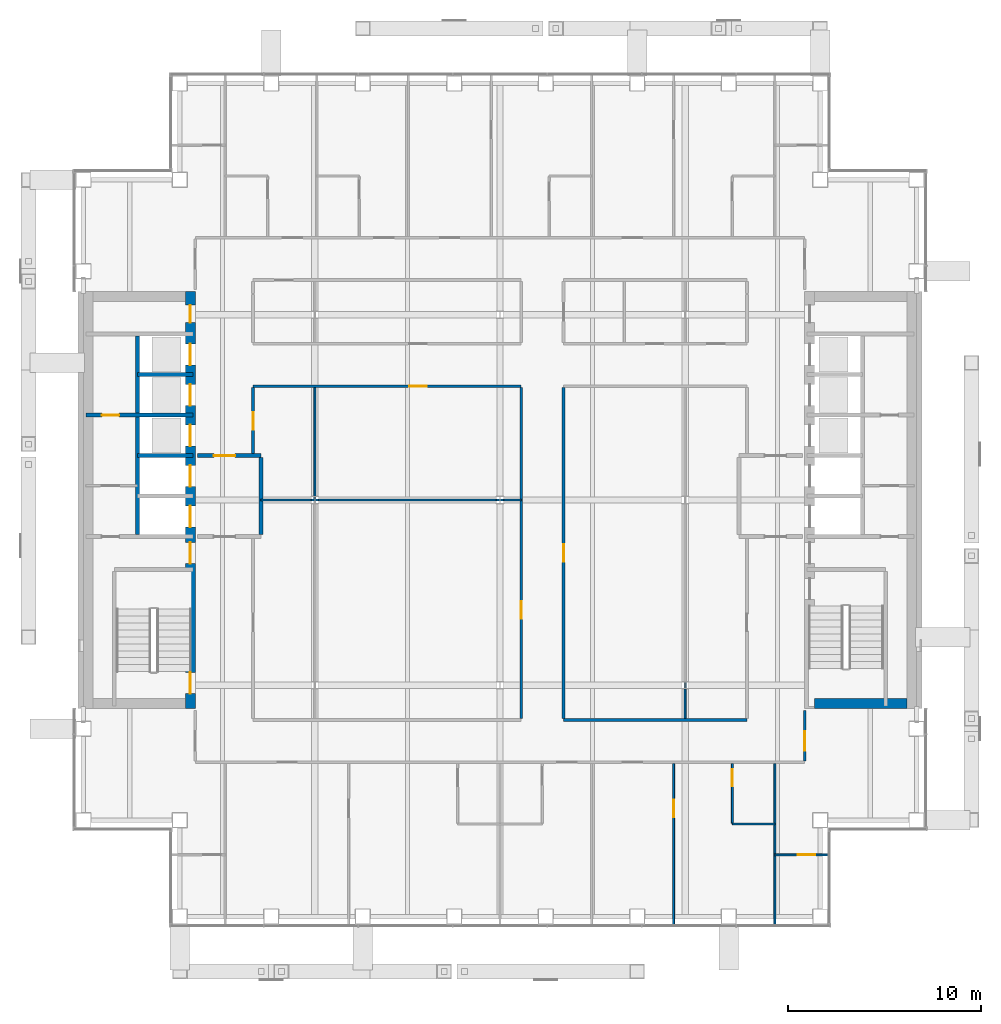
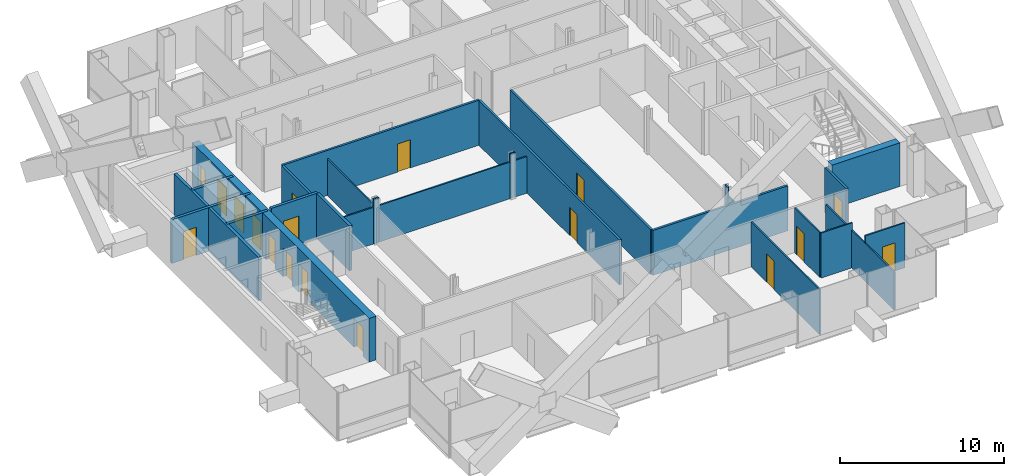
# One storey, part 13 of 18: 28 walls, 18 doors, 18 openings.
"""IFC4 building model written with IfcOpenShell, lengths in metres."""

from ifc_helpers import new_model, si_unit, direction, frame, frame_2d, origin, place, context, subcontext, project, spatial, rectangle, extrude, material, layer, layer_set, type_object, element, fill, save


model = new_model("IFC4")

# Units and contexts
model_context = context("Model", 3, precision=1e-05, world=origin(), true_north=direction((0.0, 1.0)))
body_context = subcontext(model_context, "Body", "Model", "MODEL_VIEW")
ifc_project = project(units=[si_unit("LENGTHUNIT", "METRE"), si_unit("AREAUNIT", "SQUARE_METRE"), si_unit("VOLUMEUNIT", "CUBIC_METRE"), si_unit("PLANEANGLEUNIT", "RADIAN"), si_unit("MASSUNIT", "GRAM", prefix="KILO")], contexts=[model_context])

# Site, building, storey
site_placement = place(None, origin())
site = spatial("IfcSite", under=ifc_project, at=site_placement, CompositionType="ELEMENT")
building_placement = place(site_placement, origin())
building = spatial("IfcBuilding", under=site, at=building_placement, Name="Cobrizo Arcos Hotel Tower", CompositionType="ELEMENT")
storey_placement = place(building_placement, frame((0.0, 0.0, 165.5)))
storey = spatial("IfcBuildingStorey", under=building, at=storey_placement, Name="L42", CompositionType="ELEMENT", Elevation=165.5)

# Wall
ifc_material_1 = material(Name="Gypsum board partition")
ifc_layer_1 = layer(ifc_material_1, 0.14990234375)
ifc_layer_set_1 = layer_set([ifc_layer_1], Name="Corridor wall EI 60 150")
wall_type_1 = type_object("IfcWallType", Name="Corridor wall EI 60 150", PredefinedType="PARTITIONING", material=ifc_layer_set_1)
wall_1_placement = place(storey_placement, frame((3.300048828125, -11.39990234375, 0.0), z_axis=(0.0, 0.0, 1.0), x_axis=(1.0, 0.0, 0.0)))
element("IfcWall", 1, at=wall_1_placement, inside=storey, type_object=wall_type_1, Name="Partition 007", PredefinedType="PARTITIONING", context=body_context, shape_type="SweptSolid", body=[
    extrude(rectangle(XDim=9.5, YDim=0.14990234375, at=frame_2d((4.75, 0.0))), origin(), (0.0, 0.0, 1.0), 3.35009765625),
])

# Wall, opening, door
wall_2_placement = place(storey_placement, frame((-12.800048828125, 5.89990234375, 0.0), z_axis=(0.0, 0.0, 1.0), x_axis=(1.0, 0.0, 0.0)))
wall_2 = element("IfcWall", 2, at=wall_2_placement, inside=storey, type_object=wall_type_1, Name="Partition 029", PredefinedType="PARTITIONING", context=body_context, shape_type="SweptSolid", body=[
    extrude(rectangle(XDim=13.900146484375, YDim=0.14990234375, at=frame_2d((6.9501953125, 0.0))), origin(), (0.0, 0.0, 1.0), 3.35009765625),
])
opening_1_placement = place(wall_2_placement, frame((8.10009765625, 0.0, 0.0)))
opening_1 = element("IfcOpeningElement", 3, at=opening_1_placement, cuts=wall_2, Name="Opening RD-19", PredefinedType="OPENING", context=body_context, shape_type="SweptSolid", body=[
    extrude(rectangle(XDim=0.89990234375, YDim=2.10009765625, at=frame_2d((0.449951171875, 1.050048828125))), frame((0.0, 0.0869140625, 0.0), z_axis=(0.0, -1.0, 0.0), x_axis=(1.0, 0.0, 0.0)), (0.0, 0.0, 1.0), 0.173828125),
])
ifc_material_2 = material(Name="Timber door leaf", Category="wood")
door_type_1 = type_object("IfcDoorType", Name="Room door FD30 900x2100", OperationType="SINGLE_SWING_LEFT", PredefinedType="DOOR", material=ifc_material_2)
door_1_placement = place(opening_1_placement, origin())
door_1 = element("IfcDoor", 4, at=door_1_placement, inside=storey, type_object=door_type_1, Name="Door RD-19", OperationType="SINGLE_SWING_LEFT", OverallHeight=2.10009765625, OverallWidth=0.89990234375, PredefinedType="DOOR", context=body_context, shape_type="SweptSolid", body=[
    extrude(rectangle(XDim=0.89990234375, YDim=2.10009765625, at=frame_2d((0.449951171875, 1.050048828125))), frame((0.0, 0.02490234375, 0.0), z_axis=(0.0, -1.0, 0.0), x_axis=(1.0, 0.0, 0.0)), (0.0, 0.0, 1.0), 0.050048828125),
])
fill(opening_1, door_1)

wall_3_placement = place(storey_placement, frame((-12.800048828125, 2.39990234375, 0.0), z_axis=(0.0, 0.0, 1.0), x_axis=(0.0, 1.0, 0.0)))
wall_3 = element("IfcWall", 5, at=wall_3_placement, inside=storey, type_object=wall_type_1, Name="Partition 055", PredefinedType="PARTITIONING", context=body_context, shape_type="SweptSolid", body=[
    extrude(rectangle(XDim=3.425048828125, YDim=0.14990234375, at=frame_2d((1.71240234375, 0.0))), origin(), (0.0, 0.0, 1.0), 3.35009765625),
])
opening_2_placement = place(wall_3_placement, frame((1.25, 0.0, 0.0)))
opening_2 = element("IfcOpeningElement", 6, at=opening_2_placement, cuts=wall_3, Name="Opening RD-15", PredefinedType="OPENING", context=body_context, shape_type="SweptSolid", body=[
    extrude(rectangle(XDim=0.89990234375, YDim=2.10009765625, at=frame_2d((0.449951171875, 1.050048828125))), frame((0.0, 0.0869140625, 0.0), z_axis=(0.0, -1.0, 0.0), x_axis=(1.0, 0.0, 0.0)), (0.0, 0.0, 1.0), 0.173828125),
])
door_2_placement = place(opening_2_placement, origin())
door_2 = element("IfcDoor", 7, at=door_2_placement, inside=storey, type_object=door_type_1, Name="Door RD-15", OperationType="SINGLE_SWING_RIGHT", OverallHeight=2.10009765625, OverallWidth=0.89990234375, PredefinedType="DOOR", context=body_context, shape_type="SweptSolid", body=[
    extrude(rectangle(XDim=0.89990234375, YDim=2.10009765625, at=frame_2d((0.449951171875, 1.050048828125))), frame((0.0, 0.02490234375, 0.0), z_axis=(0.0, -1.0, 0.0), x_axis=(1.0, 0.0, 0.0)), (0.0, 0.0, 1.0), 0.050048828125),
])
fill(opening_2, door_2)

wall_4_placement = place(storey_placement, frame((1.10009765625, -11.324951171875, 0.0), z_axis=(0.0, 0.0, 1.0), x_axis=(0.0, 1.0, 0.0)))
wall_4 = element("IfcWall", 8, at=wall_4_placement, inside=storey, type_object=wall_type_1, Name="Partition 075", PredefinedType="PARTITIONING", context=body_context, shape_type="SweptSolid", body=[
    extrude(rectangle(XDim=17.14990234375, YDim=0.14990234375, at=frame_2d((8.574951171875, 0.0))), origin(), (0.0, 0.0, 1.0), 3.35009765625),
])
opening_3_placement = place(wall_4_placement, frame((5.175048828125, 0.0, 0.0)))
opening_3 = element("IfcOpeningElement", 9, at=opening_3_placement, cuts=wall_4, Name="Opening RD-21", PredefinedType="OPENING", context=body_context, shape_type="SweptSolid", body=[
    extrude(rectangle(XDim=0.89990234375, YDim=2.10009765625, at=frame_2d((0.449951171875, 1.050048828125))), frame((0.0, 0.0869140625, 0.0), z_axis=(0.0, -1.0, 0.0), x_axis=(1.0, 0.0, 0.0)), (0.0, 0.0, 1.0), 0.173828125),
])
door_3_placement = place(opening_3_placement, origin())
door_3 = element("IfcDoor", 10, at=door_3_placement, inside=storey, type_object=door_type_1, Name="Door RD-21", OperationType="SINGLE_SWING_RIGHT", OverallHeight=2.10009765625, OverallWidth=0.89990234375, PredefinedType="DOOR", context=body_context, shape_type="SweptSolid", body=[
    extrude(rectangle(XDim=0.89990234375, YDim=2.10009765625, at=frame_2d((0.449951171875, 1.050048828125))), frame((0.0, 0.02490234375, 0.0), z_axis=(0.0, -1.0, 0.0), x_axis=(1.0, 0.0, 0.0)), (0.0, 0.0, 1.0), 0.050048828125),
])
fill(opening_3, door_3)

wall_5_placement = place(storey_placement, frame((3.300048828125, -11.324951171875, 0.0), z_axis=(0.0, 0.0, 1.0), x_axis=(0.0, 1.0, 0.0)))
wall_5 = element("IfcWall", 11, at=wall_5_placement, inside=storey, type_object=wall_type_1, Name="Partition 079", PredefinedType="PARTITIONING", context=body_context, shape_type="SweptSolid", body=[
    extrude(rectangle(XDim=17.14990234375, YDim=0.14990234375, at=frame_2d((8.574951171875, 0.0))), origin(), (0.0, 0.0, 1.0), 3.35009765625),
])
opening_4_placement = place(wall_5_placement, frame((8.125, 0.0, 0.0)))
opening_4 = element("IfcOpeningElement", 12, at=opening_4_placement, cuts=wall_5, Name="Opening RD-20", PredefinedType="OPENING", context=body_context, shape_type="SweptSolid", body=[
    extrude(rectangle(XDim=0.89990234375, YDim=2.10009765625, at=frame_2d((0.449951171875, 1.050048828125))), frame((0.0, 0.0869140625, 0.0), z_axis=(0.0, -1.0, 0.0), x_axis=(1.0, 0.0, 0.0)), (0.0, 0.0, 1.0), 0.173828125),
])
door_4_placement = place(opening_4_placement, origin())
door_4 = element("IfcDoor", 13, at=door_4_placement, inside=storey, type_object=door_type_1, Name="Door RD-20", OperationType="SINGLE_SWING_RIGHT", OverallHeight=2.10009765625, OverallWidth=0.89990234375, PredefinedType="DOOR", context=body_context, shape_type="SweptSolid", body=[
    extrude(rectangle(XDim=0.89990234375, YDim=2.10009765625, at=frame_2d((0.449951171875, 1.050048828125))), frame((0.0, 0.02490234375, 0.0), z_axis=(0.0, -1.0, 0.0), x_axis=(1.0, 0.0, 0.0)), (0.0, 0.0, 1.0), 0.050048828125),
])
fill(opening_4, door_4)

wall_6_placement = place(storey_placement, frame((15.800048828125, -13.52490234375, 0.0), z_axis=(0.0, 0.0, 1.0), x_axis=(0.0, 1.0, 0.0)))
wall_6 = element("IfcWall", 14, at=wall_6_placement, inside=storey, type_object=wall_type_1, Name="Partition 103", PredefinedType="PARTITIONING", context=body_context, shape_type="SweptSolid", body=[
    extrude(rectangle(XDim=2.60498046875, YDim=0.14990234375, at=frame_2d((1.302490234375, 0.0))), origin(), (0.0, 0.0, 1.0), 3.35009765625),
])
opening_5_placement = place(wall_6_placement, frame((0.52490234375, 0.0, 0.0)))
opening_5 = element("IfcOpeningElement", 15, at=opening_5_placement, cuts=wall_6, Name="Opening GD-10", PredefinedType="OPENING", context=body_context, shape_type="SweptSolid", body=[
    extrude(rectangle(XDim=1.0, YDim=2.10009765625, at=frame_2d((0.5, 1.050048828125))), frame((0.0, 0.0869140625, 0.0), z_axis=(0.0, -1.0, 0.0), x_axis=(1.0, 0.0, 0.0)), (0.0, 0.0, 1.0), 0.173828125),
])
door_type_2 = type_object("IfcDoorType", Name="Guest room door FD30S 1000x2100", OperationType="SINGLE_SWING_LEFT", PredefinedType="DOOR", material=ifc_material_2)
door_5_placement = place(opening_5_placement, origin())
door_5 = element("IfcDoor", 16, at=door_5_placement, inside=storey, type_object=door_type_2, Name="Door GD-10", OperationType="SINGLE_SWING_LEFT", OverallHeight=2.10009765625, OverallWidth=1.0, PredefinedType="DOOR", context=body_context, shape_type="SweptSolid", body=[
    extrude(rectangle(XDim=1.0, YDim=2.10009765625, at=frame_2d((0.5, 1.050048828125))), frame((0.0, 0.02490234375, 0.0), z_axis=(0.0, -1.0, 0.0), x_axis=(1.0, 0.0, 0.0)), (0.0, 0.0, 1.0), 0.050048828125),
])
fill(opening_5, door_5)

ifc_layer_2 = layer(ifc_material_1, 0.10009765625)
ifc_layer_set_2 = layer_set([ifc_layer_2], Name="Partition EI 30 100")
wall_type_2 = type_object("IfcWallType", Name="Partition EI 30 100", PredefinedType="PARTITIONING", material=ifc_layer_set_2)
wall_7_placement = place(storey_placement, frame((14.25, -18.39990234375, 0.0), z_axis=(0.0, 0.0, 1.0), x_axis=(1.0, 0.0, 0.0)))
wall_7 = element("IfcWall", 17, at=wall_7_placement, inside=storey, type_object=wall_type_2, Name="Partition 002", PredefinedType="PARTITIONING", context=body_context, shape_type="SweptSolid", body=[
    extrude(rectangle(XDim=2.780029296875, YDim=0.10009765625, at=frame_2d((1.39013671875, 0.0))), origin(), (0.0, 0.0, 1.0), 3.35009765625),
])
opening_6_placement = place(wall_7_placement, frame((1.18896484375, 0.0, 0.0)))
opening_6 = element("IfcOpeningElement", 18, at=opening_6_placement, cuts=wall_7, Name="Opening ED-10", PredefinedType="OPENING", context=body_context, shape_type="SweptSolid", body=[
    extrude(rectangle(XDim=0.89990234375, YDim=2.10009765625, at=frame_2d((0.449951171875, 1.050048828125))), frame((0.0, 0.06201171875, 0.0), z_axis=(0.0, -1.0, 0.0), x_axis=(1.0, 0.0, 0.0)), (0.0, 0.0, 1.0), 0.1240234375),
])
door_type_3 = type_object("IfcDoorType", Name="En-suite door 900x2100", OperationType="SINGLE_SWING_LEFT", PredefinedType="DOOR", material=ifc_material_2)
door_6_placement = place(opening_6_placement, origin())
door_6 = element("IfcDoor", 19, at=door_6_placement, inside=storey, type_object=door_type_3, Name="Door ED-10", OperationType="SINGLE_SWING_RIGHT", OverallHeight=2.10009765625, OverallWidth=0.89990234375, PredefinedType="DOOR", context=body_context, shape_type="SweptSolid", body=[
    extrude(rectangle(XDim=0.89990234375, YDim=2.10009765625, at=frame_2d((0.449951171875, 1.050048828125))), frame((0.0, 0.02490234375, 0.0), z_axis=(0.0, -1.0, 0.0), x_axis=(1.0, 0.0, 0.0)), (0.0, 0.0, 1.0), 0.050048828125),
])
fill(opening_6, door_6)

# Walls
wall_8_placement = place(storey_placement, frame((12.050048828125, -16.800048828125, 0.0), z_axis=(0.0, 0.0, 1.0), x_axis=(1.0, 0.0, 0.0)))
element("IfcWall", 20, at=wall_8_placement, inside=storey, type_object=wall_type_2, Name="Partition 004", PredefinedType="PARTITIONING", context=body_context, shape_type="SweptSolid", body=[
    extrude(rectangle(XDim=2.199951171875, YDim=0.10009765625, at=frame_2d((1.10009765625, 0.0))), origin(), (0.0, 0.0, 1.0), 3.35009765625),
])
wall_9_placement = place(storey_placement, frame((-12.39990234375, 0.0, 0.0), z_axis=(0.0, 0.0, 1.0), x_axis=(1.0, 0.0, 0.0)))
element("IfcWall", 21, at=wall_9_placement, inside=storey, type_object=wall_type_2, Name="Partition 014", PredefinedType="PARTITIONING", context=body_context, shape_type="SweptSolid", body=[
    extrude(rectangle(XDim=2.61279296875, YDim=0.10009765625, at=frame_2d((1.306396484375, 0.0))), origin(), (0.0, 0.0, 1.0), 2.72802734375),
])
wall_10_placement = place(storey_placement, frame((-9.787109375, 0.0, 0.0), z_axis=(0.0, 0.0, 1.0), x_axis=(1.0, 0.0, 0.0)))
element("IfcWall", 22, at=wall_10_placement, inside=storey, type_object=wall_type_2, Name="Partition 015", PredefinedType="PARTITIONING", context=body_context, shape_type="SweptSolid", body=[
    extrude(rectangle(XDim=0.3740234375, YDim=0.10009765625, at=frame_2d((0.18701171875, 0.0))), origin(), (0.0, 0.0, 1.0), 3.35009765625),
])
wall_11_placement = place(storey_placement, frame((-9.4130859375, 0.0, 0.0), z_axis=(0.0, 0.0, 1.0), x_axis=(1.0, 0.0, 0.0)))
element("IfcWall", 23, at=wall_11_placement, inside=storey, type_object=wall_type_2, Name="Partition 016", PredefinedType="PARTITIONING", context=body_context, shape_type="SweptSolid", body=[
    extrude(rectangle(XDim=9.22607421875, YDim=0.10009765625, at=frame_2d((4.613037109375, 0.0))), origin(), (0.0, 0.0, 1.0), 2.72802734375),
])
wall_12_placement = place(storey_placement, frame((-0.18701171875, 0.0, 0.0), z_axis=(0.0, 0.0, 1.0), x_axis=(1.0, 0.0, 0.0)))
element("IfcWall", 24, at=wall_12_placement, inside=storey, type_object=wall_type_2, Name="Partition 017", PredefinedType="PARTITIONING", context=body_context, shape_type="SweptSolid", body=[
    extrude(rectangle(XDim=0.3740234375, YDim=0.10009765625, at=frame_2d((0.18701171875, 0.0))), origin(), (0.0, 0.0, 1.0), 3.35009765625),
])
wall_13_placement = place(storey_placement, frame((0.18701171875, 0.0, 0.0), z_axis=(0.0, 0.0, 1.0), x_axis=(1.0, 0.0, 0.0)))
element("IfcWall", 25, at=wall_13_placement, inside=storey, type_object=wall_type_2, Name="Partition 018", PredefinedType="PARTITIONING", context=body_context, shape_type="SweptSolid", body=[
    extrude(rectangle(XDim=0.9130859375, YDim=0.10009765625, at=frame_2d((0.45654296875, 0.0))), origin(), (0.0, 0.0, 1.0), 2.72802734375),
])
wall_14_placement = place(storey_placement, frame((-9.60009765625, 0.050048828125, 0.0), z_axis=(0.0, 0.0, 1.0), x_axis=(0.0, 1.0, 0.0)))
element("IfcWall", 26, at=wall_14_placement, inside=storey, type_object=wall_type_2, Name="Partition 063", PredefinedType="PARTITIONING", context=body_context, shape_type="SweptSolid", body=[
    extrude(rectangle(XDim=5.77490234375, YDim=0.10009765625, at=frame_2d((2.887451171875, 0.0))), origin(), (0.0, 0.0, 1.0), 2.72802734375),
])

# Wall, opening, door
wall_15_placement = place(storey_placement, frame((9.0, -22.030029296875, 0.0), z_axis=(0.0, 0.0, 1.0), x_axis=(0.0, 1.0, 0.0)))
wall_15 = element("IfcWall", 27, at=wall_15_placement, inside=storey, type_object=wall_type_2, Name="Partition 084", PredefinedType="PARTITIONING", context=body_context, shape_type="SweptSolid", body=[
    extrude(rectangle(XDim=8.35498046875, YDim=0.10009765625, at=frame_2d((4.177490234375, 0.0))), origin(), (0.0, 0.0, 1.0), 3.35009765625),
])
opening_7_placement = place(wall_15_placement, frame((5.580078125, 0.0, 0.0)))
opening_7 = element("IfcOpeningElement", 28, at=opening_7_placement, cuts=wall_15, Name="Opening RD-12", PredefinedType="OPENING", context=body_context, shape_type="SweptSolid", body=[
    extrude(rectangle(XDim=0.89990234375, YDim=2.10009765625, at=frame_2d((0.449951171875, 1.050048828125))), frame((0.0, 0.06201171875, 0.0), z_axis=(0.0, -1.0, 0.0), x_axis=(1.0, 0.0, 0.0)), (0.0, 0.0, 1.0), 0.1240234375),
])
door_7_placement = place(opening_7_placement, origin())
door_7 = element("IfcDoor", 29, at=door_7_placement, inside=storey, type_object=door_type_1, Name="Door RD-12", OperationType="SINGLE_SWING_LEFT", OverallHeight=2.10009765625, OverallWidth=0.89990234375, PredefinedType="DOOR", context=body_context, shape_type="SweptSolid", body=[
    extrude(rectangle(XDim=0.89990234375, YDim=2.10009765625, at=frame_2d((0.449951171875, 1.050048828125))), frame((0.0, 0.02490234375, 0.0), z_axis=(0.0, -1.0, 0.0), x_axis=(1.0, 0.0, 0.0)), (0.0, 0.0, 1.0), 0.050048828125),
])
fill(opening_7, door_7)

# Walls
wall_16_placement = place(storey_placement, frame((9.60009765625, -11.324951171875, 0.0), z_axis=(0.0, 0.0, 1.0), x_axis=(0.0, 1.0, 0.0)))
element("IfcWall", 30, at=wall_16_placement, inside=storey, type_object=wall_type_2, Name="Partition 086", PredefinedType="PARTITIONING", context=body_context, shape_type="SweptSolid", body=[
    extrude(rectangle(XDim=1.537841796875, YDim=0.10009765625, at=frame_2d((0.76904296875, 0.0))), origin(), (0.0, 0.0, 1.0), 2.72802734375),
])
wall_17_placement = place(storey_placement, frame((9.60009765625, -9.787109375, 0.0), z_axis=(0.0, 0.0, 1.0), x_axis=(0.0, 1.0, 0.0)))
element("IfcWall", 31, at=wall_17_placement, inside=storey, type_object=wall_type_2, Name="Partition 087", PredefinedType="PARTITIONING", context=body_context, shape_type="SweptSolid", body=[
    extrude(rectangle(XDim=0.3740234375, YDim=0.10009765625, at=frame_2d((0.18701171875, 0.0))), origin(), (0.0, 0.0, 1.0), 3.35009765625),
])

# Wall, opening, door
wall_18_placement = place(storey_placement, frame((12.050048828125, -16.75, 0.0), z_axis=(0.0, 0.0, 1.0), x_axis=(0.0, 1.0, 0.0)))
wall_18 = element("IfcWall", 32, at=wall_18_placement, inside=storey, type_object=wall_type_2, Name="Partition 094", PredefinedType="PARTITIONING", context=body_context, shape_type="SweptSolid", body=[
    extrude(rectangle(XDim=3.074951171875, YDim=0.10009765625, at=frame_2d((1.53759765625, 0.0))), origin(), (0.0, 0.0, 1.0), 3.35009765625),
])
opening_8_placement = place(wall_18_placement, frame((1.89990234375, 0.0, 0.0)))
opening_8 = element("IfcOpeningElement", 33, at=opening_8_placement, cuts=wall_18, Name="Opening ED-07", PredefinedType="OPENING", context=body_context, shape_type="SweptSolid", body=[
    extrude(rectangle(XDim=0.89990234375, YDim=2.10009765625, at=frame_2d((0.449951171875, 1.050048828125))), frame((0.0, 0.06201171875, 0.0), z_axis=(0.0, -1.0, 0.0), x_axis=(1.0, 0.0, 0.0)), (0.0, 0.0, 1.0), 0.1240234375),
])
door_8_placement = place(opening_8_placement, origin())
door_8 = element("IfcDoor", 34, at=door_8_placement, inside=storey, type_object=door_type_3, Name="Door ED-07", OperationType="SINGLE_SWING_LEFT", OverallHeight=2.10009765625, OverallWidth=0.89990234375, PredefinedType="DOOR", context=body_context, shape_type="SweptSolid", body=[
    extrude(rectangle(XDim=0.89990234375, YDim=2.10009765625, at=frame_2d((0.449951171875, 1.050048828125))), frame((0.0, 0.02490234375, 0.0), z_axis=(0.0, -1.0, 0.0), x_axis=(1.0, 0.0, 0.0)), (0.0, 0.0, 1.0), 0.050048828125),
])
fill(opening_8, door_8)

# Walls
wall_19_placement = place(storey_placement, frame((14.25, -22.030029296875, 0.0), z_axis=(0.0, 0.0, 1.0), x_axis=(0.0, 1.0, 0.0)))
element("IfcWall", 35, at=wall_19_placement, inside=storey, type_object=wall_type_2, Name="Partition 101", PredefinedType="PARTITIONING", context=body_context, shape_type="SweptSolid", body=[
    extrude(rectangle(XDim=8.35498046875, YDim=0.10009765625, at=frame_2d((4.177490234375, 0.0))), origin(), (0.0, 0.0, 1.0), 2.81689453125),
])
ifc_material_3 = material(Name="Concrete f'c 50 MPa", Category="concrete")
ifc_layer_3 = layer(ifc_material_3, 0.5)
ifc_layer_set_3 = layer_set([ifc_layer_3], Name="RC core wall 500 f'c 50")
wall_type_3 = type_object("IfcWallType", Name="RC core wall 500 f'c 50", PredefinedType="SHEAR", material=ifc_layer_set_3)
wall_20_placement = place(storey_placement, frame((16.300048828125, -10.550048828125, 0.0), z_axis=(0.0, 0.0, 1.0), x_axis=(1.0, 0.0, 0.0)))
element("IfcWall", 36, at=wall_20_placement, inside=storey, type_object=wall_type_3, Name="Core wall CW3, east core, south end, L42", PredefinedType="SHEAR", context=body_context, shape_type="SweptSolid", body=[
    extrude(rectangle(XDim=4.800048828125, YDim=0.5, at=frame_2d((2.39990234375, 0.0))), origin(), (0.0, 0.0, 1.0), 3.25),
])

# Wall, openings, doors
wall_21_placement = place(storey_placement, frame((-16.050048828125, -10.800048828125, 0.0), z_axis=(0.0, 0.0, 1.0), x_axis=(0.0, 1.0, 0.0)))
wall_21 = element("IfcWall", 37, at=wall_21_placement, inside=storey, type_object=wall_type_3, Name="Core wall CW3, west core, inner face, L42", PredefinedType="SHEAR", context=body_context, shape_type="SweptSolid", body=[
    extrude(rectangle(XDim=21.60009765625, YDim=0.5, at=frame_2d((10.800048828125, 0.0))), origin(), (0.0, 0.0, 1.0), 3.25),
])
opening_9_placement = place(wall_21_placement, frame((9.39990234375, 0.0, 0.0)))
opening_9 = element("IfcOpeningElement", 38, at=opening_9_placement, cuts=wall_21, Name="Opening LD-01", PredefinedType="OPENING", context=body_context, shape_type="SweptSolid", body=[
    extrude(rectangle(XDim=1.10009765625, YDim=2.10009765625, at=frame_2d((0.550048828125, 1.050048828125))), frame((0.0, 0.261962890625, 0.0), z_axis=(0.0, -1.0, 0.0), x_axis=(1.0, 0.0, 0.0)), (0.0, 0.0, 1.0), 0.52392578125),
])
opening_10_placement = place(wall_21_placement, frame((11.5, 0.0, 0.0)))
opening_10 = element("IfcOpeningElement", 39, at=opening_10_placement, cuts=wall_21, Name="Opening LD-02", PredefinedType="OPENING", context=body_context, shape_type="SweptSolid", body=[
    extrude(rectangle(XDim=1.10009765625, YDim=2.10009765625, at=frame_2d((0.550048828125, 1.050048828125))), frame((0.0, 0.261962890625, 0.0), z_axis=(0.0, -1.0, 0.0), x_axis=(1.0, 0.0, 0.0)), (0.0, 0.0, 1.0), 0.52392578125),
])
opening_11_placement = place(wall_21_placement, frame((13.60009765625, 0.0, 0.0)))
opening_11 = element("IfcOpeningElement", 40, at=opening_11_placement, cuts=wall_21, Name="Opening LD-03", PredefinedType="OPENING", context=body_context, shape_type="SweptSolid", body=[
    extrude(rectangle(XDim=1.10009765625, YDim=2.10009765625, at=frame_2d((0.550048828125, 1.050048828125))), frame((0.0, 0.261962890625, 0.0), z_axis=(0.0, -1.0, 0.0), x_axis=(1.0, 0.0, 0.0)), (0.0, 0.0, 1.0), 0.52392578125),
])
opening_12_placement = place(wall_21_placement, frame((15.699951171875, 0.0, 0.0)))
opening_12 = element("IfcOpeningElement", 41, at=opening_12_placement, cuts=wall_21, Name="Opening LD-04", PredefinedType="OPENING", context=body_context, shape_type="SweptSolid", body=[
    extrude(rectangle(XDim=1.10009765625, YDim=2.10009765625, at=frame_2d((0.550048828125, 1.050048828125))), frame((0.0, 0.261962890625, 0.0), z_axis=(0.0, -1.0, 0.0), x_axis=(1.0, 0.0, 0.0)), (0.0, 0.0, 1.0), 0.52392578125),
])
opening_13_placement = place(wall_21_placement, frame((17.800048828125, 0.0, 0.0)))
opening_13 = element("IfcOpeningElement", 42, at=opening_13_placement, cuts=wall_21, Name="Opening LD-05", PredefinedType="OPENING", context=body_context, shape_type="SweptSolid", body=[
    extrude(rectangle(XDim=1.10009765625, YDim=2.10009765625, at=frame_2d((0.550048828125, 1.050048828125))), frame((0.0, 0.261962890625, 0.0), z_axis=(0.0, -1.0, 0.0), x_axis=(1.0, 0.0, 0.0)), (0.0, 0.0, 1.0), 0.52392578125),
])
opening_14_placement = place(wall_21_placement, frame((0.758056640625, 0.0, 0.0)))
opening_14 = element("IfcOpeningElement", 43, at=opening_14_placement, cuts=wall_21, Name="Opening SD-01", PredefinedType="OPENING", context=body_context, shape_type="SweptSolid", body=[
    extrude(rectangle(XDim=1.10009765625, YDim=2.10009765625, at=frame_2d((0.550048828125, 1.050048828125))), frame((0.0, 0.261962890625, 0.0), z_axis=(0.0, -1.0, 0.0), x_axis=(1.0, 0.0, 0.0)), (0.0, 0.0, 1.0), 0.52392578125),
])
opening_15_placement = place(wall_21_placement, frame((7.5, 0.0, 0.0)))
opening_15 = element("IfcOpeningElement", 44, at=opening_15_placement, cuts=wall_21, Name="Opening FD-01", PredefinedType="OPENING", context=body_context, shape_type="SweptSolid", body=[
    extrude(rectangle(XDim=1.10009765625, YDim=2.10009765625, at=frame_2d((0.550048828125, 1.050048828125))), frame((0.0, 0.261962890625, 0.0), z_axis=(0.0, -1.0, 0.0), x_axis=(1.0, 0.0, 0.0)), (0.0, 0.0, 1.0), 0.52392578125),
])
opening_16_placement = place(wall_21_placement, frame((20.0, 0.0, 0.0)))
opening_16 = element("IfcOpeningElement", 45, at=opening_16_placement, cuts=wall_21, Name="Opening RD-01", PredefinedType="OPENING", context=body_context, shape_type="SweptSolid", body=[
    extrude(rectangle(XDim=0.89990234375, YDim=2.10009765625, at=frame_2d((0.449951171875, 1.050048828125))), frame((0.0, 0.261962890625, 0.0), z_axis=(0.0, -1.0, 0.0), x_axis=(1.0, 0.0, 0.0)), (0.0, 0.0, 1.0), 0.52392578125),
])
ifc_material_4 = material(Name="Steel door leaf", Category="steel")
door_type_4 = type_object("IfcDoorType", Name="Fire door FD60 1100x2100", OperationType="SINGLE_SWING_LEFT", PredefinedType="DOOR", material=ifc_material_4)
door_9_placement = place(opening_15_placement, origin())
door_9 = element("IfcDoor", 46, at=door_9_placement, inside=storey, type_object=door_type_4, Name="Door FD-01", OperationType="SINGLE_SWING_RIGHT", OverallHeight=2.10009765625, OverallWidth=1.10009765625, PredefinedType="DOOR", context=body_context, shape_type="SweptSolid", body=[
    extrude(rectangle(XDim=1.10009765625, YDim=2.10009765625, at=frame_2d((0.550048828125, 1.050048828125))), frame((0.0, 0.02490234375, 0.0), z_axis=(0.0, -1.0, 0.0), x_axis=(1.0, 0.0, 0.0)), (0.0, 0.0, 1.0), 0.050048828125),
])
fill(opening_15, door_9)
door_type_5 = type_object("IfcDoorType", Name="Lift landing door 1100x2100", OperationType="SLIDING_TO_LEFT", PredefinedType="DOOR", material=ifc_material_4)
door_10_placement = place(opening_9_placement, origin())
door_10 = element("IfcDoor", 47, at=door_10_placement, inside=storey, type_object=door_type_5, Name="Lift landing door LD-01", OperationType="SLIDING_TO_LEFT", OverallHeight=2.10009765625, OverallWidth=1.10009765625, PredefinedType="DOOR", context=body_context, shape_type="SweptSolid", body=[
    extrude(rectangle(XDim=1.10009765625, YDim=2.10009765625, at=frame_2d((0.550048828125, 1.050048828125))), frame((0.0, 0.02490234375, 0.0), z_axis=(0.0, -1.0, 0.0), x_axis=(1.0, 0.0, 0.0)), (0.0, 0.0, 1.0), 0.050048828125),
])
fill(opening_9, door_10)
door_11_placement = place(opening_10_placement, origin())
door_11 = element("IfcDoor", 48, at=door_11_placement, inside=storey, type_object=door_type_5, Name="Lift landing door LD-02", OperationType="SLIDING_TO_LEFT", OverallHeight=2.10009765625, OverallWidth=1.10009765625, PredefinedType="DOOR", context=body_context, shape_type="SweptSolid", body=[
    extrude(rectangle(XDim=1.10009765625, YDim=2.10009765625, at=frame_2d((0.550048828125, 1.050048828125))), frame((0.0, 0.02490234375, 0.0), z_axis=(0.0, -1.0, 0.0), x_axis=(1.0, 0.0, 0.0)), (0.0, 0.0, 1.0), 0.050048828125),
])
fill(opening_10, door_11)
door_12_placement = place(opening_11_placement, origin())
door_12 = element("IfcDoor", 49, at=door_12_placement, inside=storey, type_object=door_type_5, Name="Lift landing door LD-03", OperationType="SLIDING_TO_LEFT", OverallHeight=2.10009765625, OverallWidth=1.10009765625, PredefinedType="DOOR", context=body_context, shape_type="SweptSolid", body=[
    extrude(rectangle(XDim=1.10009765625, YDim=2.10009765625, at=frame_2d((0.550048828125, 1.050048828125))), frame((0.0, 0.02490234375, 0.0), z_axis=(0.0, -1.0, 0.0), x_axis=(1.0, 0.0, 0.0)), (0.0, 0.0, 1.0), 0.050048828125),
])
fill(opening_11, door_12)
door_13_placement = place(opening_12_placement, origin())
door_13 = element("IfcDoor", 50, at=door_13_placement, inside=storey, type_object=door_type_5, Name="Lift landing door LD-04", OperationType="SLIDING_TO_LEFT", OverallHeight=2.10009765625, OverallWidth=1.10009765625, PredefinedType="DOOR", context=body_context, shape_type="SweptSolid", body=[
    extrude(rectangle(XDim=1.10009765625, YDim=2.10009765625, at=frame_2d((0.550048828125, 1.050048828125))), frame((0.0, 0.02490234375, 0.0), z_axis=(0.0, -1.0, 0.0), x_axis=(1.0, 0.0, 0.0)), (0.0, 0.0, 1.0), 0.050048828125),
])
fill(opening_12, door_13)
door_14_placement = place(opening_13_placement, origin())
door_14 = element("IfcDoor", 51, at=door_14_placement, inside=storey, type_object=door_type_5, Name="Lift landing door LD-05", OperationType="SLIDING_TO_LEFT", OverallHeight=2.10009765625, OverallWidth=1.10009765625, PredefinedType="DOOR", context=body_context, shape_type="SweptSolid", body=[
    extrude(rectangle(XDim=1.10009765625, YDim=2.10009765625, at=frame_2d((0.550048828125, 1.050048828125))), frame((0.0, 0.02490234375, 0.0), z_axis=(0.0, -1.0, 0.0), x_axis=(1.0, 0.0, 0.0)), (0.0, 0.0, 1.0), 0.050048828125),
])
fill(opening_13, door_14)
door_15_placement = place(opening_16_placement, origin())
door_15 = element("IfcDoor", 52, at=door_15_placement, inside=storey, type_object=door_type_1, Name="Door RD-01", OperationType="SINGLE_SWING_RIGHT", OverallHeight=2.10009765625, OverallWidth=0.89990234375, PredefinedType="DOOR", context=body_context, shape_type="SweptSolid", body=[
    extrude(rectangle(XDim=0.89990234375, YDim=2.10009765625, at=frame_2d((0.449951171875, 1.050048828125))), frame((0.0, 0.02490234375, 0.0), z_axis=(0.0, -1.0, 0.0), x_axis=(1.0, 0.0, 0.0)), (0.0, 0.0, 1.0), 0.050048828125),
])
fill(opening_16, door_15)
door_type_6 = type_object("IfcDoorType", Name="Stair door FD60S 1100x2100", OperationType="SINGLE_SWING_LEFT", PredefinedType="DOOR", material=ifc_material_4)
door_16_placement = place(opening_14_placement, origin())
door_16 = element("IfcDoor", 53, at=door_16_placement, inside=storey, type_object=door_type_6, Name="Door SD-01", OperationType="SINGLE_SWING_RIGHT", OverallHeight=2.10009765625, OverallWidth=1.10009765625, PredefinedType="DOOR", context=body_context, shape_type="SweptSolid", body=[
    extrude(rectangle(XDim=1.10009765625, YDim=2.10009765625, at=frame_2d((0.550048828125, 1.050048828125))), frame((0.0, 0.02490234375, 0.0), z_axis=(0.0, -1.0, 0.0), x_axis=(1.0, 0.0, 0.0)), (0.0, 0.0, 1.0), 0.050048828125),
])
fill(opening_14, door_16)

# Wall
ifc_layer_4 = layer(ifc_material_1, 0.199951171875)
ifc_layer_set_4 = layer_set([ifc_layer_4], Name="Shaft wall EI 120 200")
wall_type_4 = type_object("IfcWallType", Name="Shaft wall EI 120 200", PredefinedType="PARTITIONING", material=ifc_layer_set_4)
wall_22_placement = place(storey_placement, frame((-18.800048828125, 2.300048828125, 0.0), z_axis=(0.0, 0.0, 1.0), x_axis=(1.0, 0.0, 0.0)))
element("IfcWall", 54, at=wall_22_placement, inside=storey, type_object=wall_type_4, Name="Partition 023", PredefinedType="PARTITIONING", context=body_context, shape_type="SweptSolid", body=[
    extrude(rectangle(XDim=2.880126953125, YDim=0.199951171875, at=frame_2d((1.43994140625, 0.0))), origin(), (0.0, 0.0, 1.0), 3.25),
])

# Wall, opening, door
wall_23_placement = place(storey_placement, frame((-15.679931640625, 2.300048828125, 0.0), z_axis=(0.0, 0.0, 1.0), x_axis=(1.0, 0.0, 0.0)))
wall_23 = element("IfcWall", 55, at=wall_23_placement, inside=storey, type_object=wall_type_4, Name="Partition 024", PredefinedType="PARTITIONING", context=body_context, shape_type="SweptSolid", body=[
    extrude(rectangle(XDim=3.280029296875, YDim=0.199951171875, at=frame_2d((1.64013671875, 0.0))), origin(), (0.0, 0.0, 1.0), 3.35009765625),
])
opening_17_placement = place(wall_23_placement, frame((0.840087890625, 0.0, 0.0)))
opening_17 = element("IfcOpeningElement", 56, at=opening_17_placement, cuts=wall_23, Name="Opening FD-02", PredefinedType="OPENING", context=body_context, shape_type="SweptSolid", body=[
    extrude(rectangle(XDim=1.10009765625, YDim=2.10009765625, at=frame_2d((0.550048828125, 1.050048828125))), frame((0.0, 0.112060546875, 0.0), z_axis=(0.0, -1.0, 0.0), x_axis=(1.0, 0.0, 0.0)), (0.0, 0.0, 1.0), 0.223876953125),
])
door_17_placement = place(opening_17_placement, origin())
door_17 = element("IfcDoor", 57, at=door_17_placement, inside=storey, type_object=door_type_4, Name="Door FD-02", OperationType="SINGLE_SWING_RIGHT", OverallHeight=2.10009765625, OverallWidth=1.10009765625, PredefinedType="DOOR", context=body_context, shape_type="SweptSolid", body=[
    extrude(rectangle(XDim=1.10009765625, YDim=2.10009765625, at=frame_2d((0.550048828125, 1.050048828125))), frame((0.0, 0.02490234375, 0.0), z_axis=(0.0, -1.0, 0.0), x_axis=(1.0, 0.0, 0.0)), (0.0, 0.0, 1.0), 0.050048828125),
])
fill(opening_17, door_17)

wall_24_placement = place(storey_placement, frame((-21.47998046875, 4.39990234375, 0.0), z_axis=(0.0, 0.0, 1.0), x_axis=(1.0, 0.0, 0.0)))
wall_24 = element("IfcWall", 58, at=wall_24_placement, inside=storey, type_object=wall_type_4, Name="Partition 027", PredefinedType="PARTITIONING", context=body_context, shape_type="SweptSolid", body=[
    extrude(rectangle(XDim=5.56005859375, YDim=0.199951171875, at=frame_2d((2.780029296875, 0.0))), origin(), (0.0, 0.0, 1.0), 3.25),
])
opening_18_placement = place(wall_24_placement, frame((0.830078125, 0.0, 0.0)))
opening_18 = element("IfcOpeningElement", 59, at=opening_18_placement, cuts=wall_24, Name="Opening RD-04", PredefinedType="OPENING", context=body_context, shape_type="SweptSolid", body=[
    extrude(rectangle(XDim=0.89990234375, YDim=2.10009765625, at=frame_2d((0.449951171875, 1.050048828125))), frame((0.0, 0.112060546875, 0.0), z_axis=(0.0, -1.0, 0.0), x_axis=(1.0, 0.0, 0.0)), (0.0, 0.0, 1.0), 0.223876953125),
])
door_18_placement = place(opening_18_placement, origin())
door_18 = element("IfcDoor", 60, at=door_18_placement, inside=storey, type_object=door_type_1, Name="Door RD-04", OperationType="SINGLE_SWING_LEFT", OverallHeight=2.10009765625, OverallWidth=0.89990234375, PredefinedType="DOOR", context=body_context, shape_type="SweptSolid", body=[
    extrude(rectangle(XDim=0.89990234375, YDim=2.10009765625, at=frame_2d((0.449951171875, 1.050048828125))), frame((0.0, 0.02490234375, 0.0), z_axis=(0.0, -1.0, 0.0), x_axis=(1.0, 0.0, 0.0)), (0.0, 0.0, 1.0), 0.050048828125),
])
fill(opening_18, door_18)

# Walls
wall_25_placement = place(storey_placement, frame((-18.800048828125, 6.5, 0.0), z_axis=(0.0, 0.0, 1.0), x_axis=(1.0, 0.0, 0.0)))
element("IfcWall", 61, at=wall_25_placement, inside=storey, type_object=wall_type_4, Name="Partition 031", PredefinedType="PARTITIONING", context=body_context, shape_type="SweptSolid", body=[
    extrude(rectangle(XDim=2.880126953125, YDim=0.199951171875, at=frame_2d((1.43994140625, 0.0))), origin(), (0.0, 0.0, 1.0), 3.25),
])
wall_26_placement = place(storey_placement, frame((-18.800048828125, -1.800048828125, 0.0), z_axis=(0.0, 0.0, 1.0), x_axis=(0.0, 1.0, 0.0)))
element("IfcWall", 62, at=wall_26_placement, inside=storey, type_object=wall_type_4, Name="Partition 048", PredefinedType="PARTITIONING", context=body_context, shape_type="SweptSolid", body=[
    extrude(rectangle(XDim=6.10009765625, YDim=0.199951171875, at=frame_2d((3.050048828125, 0.0))), origin(), (0.0, 0.0, 1.0), 3.25),
])
wall_27_placement = place(storey_placement, frame((-18.800048828125, 4.5, 0.0), z_axis=(0.0, 0.0, 1.0), x_axis=(0.0, 1.0, 0.0)))
element("IfcWall", 63, at=wall_27_placement, inside=storey, type_object=wall_type_4, Name="Partition 049", PredefinedType="PARTITIONING", context=body_context, shape_type="SweptSolid", body=[
    extrude(rectangle(XDim=4.0, YDim=0.199951171875, at=frame_2d((2.0, 0.0))), origin(), (0.0, 0.0, 1.0), 3.25),
])
wall_28_placement = place(storey_placement, frame((-12.39990234375, -1.800048828125, 0.0), z_axis=(0.0, 0.0, 1.0), x_axis=(0.0, 1.0, 0.0)))
element("IfcWall", 64, at=wall_28_placement, inside=storey, type_object=wall_type_4, Name="Partition 058", PredefinedType="PARTITIONING", context=body_context, shape_type="SweptSolid", body=[
    extrude(rectangle(XDim=4.0, YDim=0.199951171875, at=frame_2d((2.0, 0.0))), origin(), (0.0, 0.0, 1.0), 3.35009765625),
])

save(model, "model.ifc")
